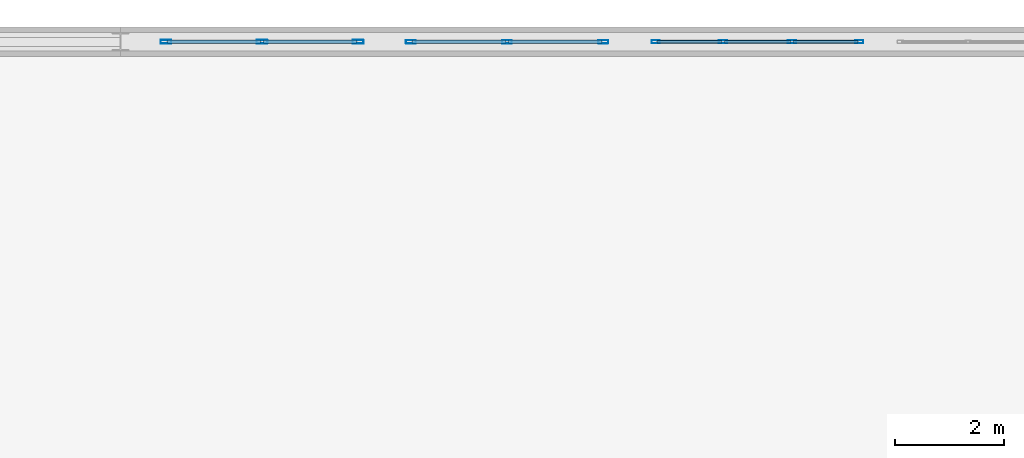
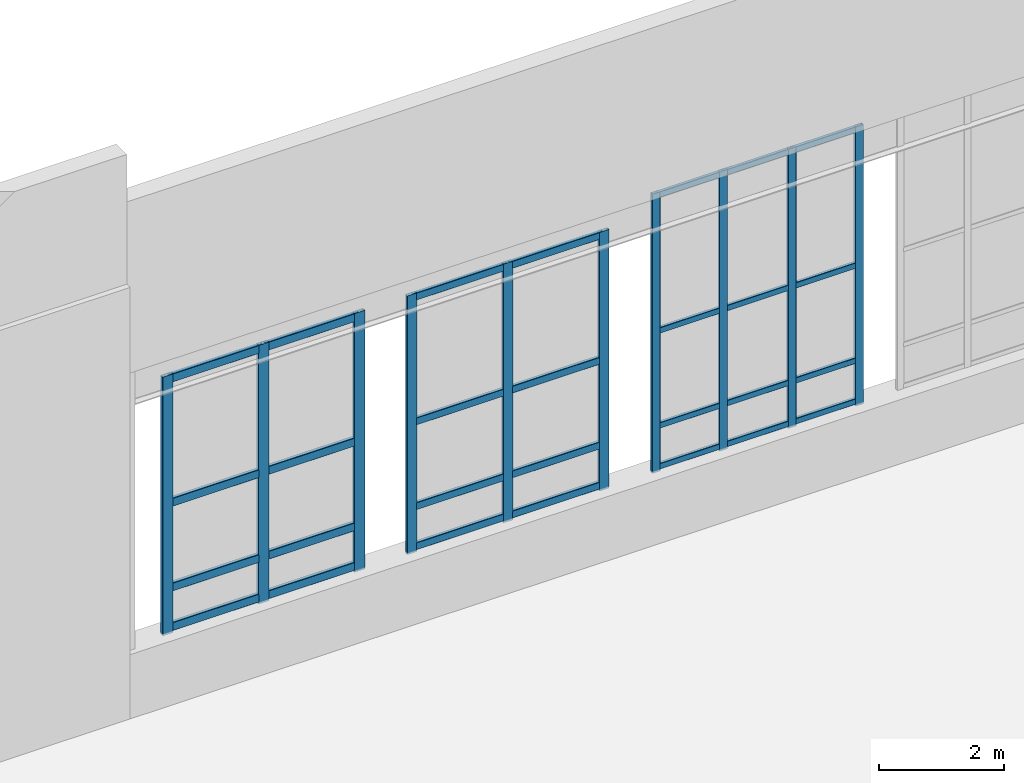
# One storey, part 64 of 97: 38 members, 3 elements without a shape of their own.
"""IFC4 building model written with IfcOpenShell, lengths in metres."""

from ifc_helpers import new_model, si_unit, derived_unit, direction, frame, origin, origin_2d, place, context, subcontext, project, spatial, hollow_rectangle, extrude, material, layer, layer_set, material_profile, profile_set, type_object, element, aggregate, save


model = new_model("IFC4")

# Units and contexts
model_context = context("Model", 3, precision=1e-05, world=origin(), true_north=direction((0.0, 1.0)))
body_context = subcontext(model_context, "Body", "Model", "MODEL_VIEW")
ifc_project = project(units=[si_unit("LENGTHUNIT", "METRE"), si_unit("AREAUNIT", "SQUARE_METRE"), si_unit("VOLUMEUNIT", "CUBIC_METRE"), si_unit("PLANEANGLEUNIT", "RADIAN"), si_unit("MASSUNIT", "GRAM", prefix="KILO"), derived_unit("THERMALTRANSMITTANCEUNIT", [(si_unit("POWERUNIT", "WATT"), 1), (si_unit("LENGTHUNIT", "METRE"), -2), (si_unit("THERMODYNAMICTEMPERATUREUNIT", "KELVIN"), -1)])], contexts=[model_context])

# Site, building, storey
site_placement = place(None, origin())
site = spatial("IfcSite", under=ifc_project, at=site_placement, CompositionType="ELEMENT")
building_placement = place(site_placement, origin())
building = spatial("IfcBuilding", under=site, at=building_placement, Name="Almenara Railside Exhibition Hall", CompositionType="ELEMENT")
storey_placement = place(building_placement, frame((0.0, 0.0, 10.800048828125)))
storey = spatial("IfcBuildingStorey", under=building, at=storey_placement, Name="L02", CompositionType="ELEMENT", Elevation=10.800048828125)

# Curtain wall, members
ifc_material_1 = material(Name="Bronze-anodised aluminium and low-E double glazing", Category="aluminium")
ifc_layer_1 = layer(ifc_material_1, 0.179931640625, Name="Bronze-anodised aluminium and low-E double glazing")
ifc_layer_set_1 = layer_set([ifc_layer_1], Name="Bronze-anodised aluminium and low-E double glazing")
curtain_wall_type_1 = type_object("IfcCurtainWallType", Name="Scroll Gable Tall Curtain Wall 3800x5400", PredefinedType="NOTDEFINED", material=ifc_layer_set_1)
curtain_wall_1_placement = place(storey_placement, origin())
curtain_wall_1 = element("IfcCurtainWall", 1, at=curtain_wall_1_placement, inside=storey, type_object=curtain_wall_type_1, Name="Curtain wall CW-G1-046", PredefinedType="NOTDEFINED")
ifc_material_2 = material(Name="Bronze-anodised aluminium", Category="aluminium")
ifc_material_profile_1 = material_profile(ifc_material_2, hollow_rectangle(XDim=0.06005859375, YDim=0.14990234375, WallThickness=0.00341796875, InnerFilletRadius=0.00341796875, OuterFilletRadius=0.007080078125, at=origin_2d()), Name="ALU-MUL 60x150x3.5")
ifc_profile_set_1 = profile_set([ifc_material_profile_1], Name="Bronze-anodised aluminium")
member_type_1 = type_object("IfcMemberType", Name="Curtain Wall Mullion 60x150x3.5", PredefinedType="MULLION", material=ifc_profile_set_1)
member_1_placement = place(storey_placement, frame((32.22998046875, 132.0, 1.21484375), z_axis=(0.0, 0.0, 1.0), x_axis=(0.0, 1.0, 0.0)))
member_1 = element("IfcMember", 2, at=member_1_placement, type_object=member_type_1, Name="CW-G1-046 mullion 1", PredefinedType="MULLION", context=body_context, shape_type="SweptSolid", body=[
    extrude(hollow_rectangle(XDim=0.06005859375, YDim=0.14990234375, WallThickness=0.00341796875, InnerFilletRadius=0.00341796875, OuterFilletRadius=0.007080078125, at=origin_2d()), origin(), (0.0, 0.0, 1.0), 5.43505859375),
])
member_2_placement = place(storey_placement, frame((33.466552734375, 132.0, 1.21484375), z_axis=(0.0, 0.0, 1.0), x_axis=(0.0, 1.0, 0.0)))
member_2 = element("IfcMember", 3, at=member_2_placement, type_object=member_type_1, Name="CW-G1-046 mullion 2", PredefinedType="MULLION", context=body_context, shape_type="SweptSolid", body=[
    extrude(hollow_rectangle(XDim=0.06005859375, YDim=0.14990234375, WallThickness=0.00341796875, InnerFilletRadius=0.00341796875, OuterFilletRadius=0.007080078125, at=origin_2d()), origin(), (0.0, 0.0, 1.0), 5.43505859375),
])
member_3_placement = place(storey_placement, frame((34.7333984375, 132.0, 1.21484375), z_axis=(0.0, 0.0, 1.0), x_axis=(0.0, 1.0, 0.0)))
member_3 = element("IfcMember", 4, at=member_3_placement, type_object=member_type_1, Name="CW-G1-046 mullion 3", PredefinedType="MULLION", context=body_context, shape_type="SweptSolid", body=[
    extrude(hollow_rectangle(XDim=0.06005859375, YDim=0.14990234375, WallThickness=0.00341796875, InnerFilletRadius=0.00341796875, OuterFilletRadius=0.007080078125, at=origin_2d()), origin(), (0.0, 0.0, 1.0), 5.43505859375),
])
member_4_placement = place(storey_placement, frame((35.969970703125, 132.0, 1.21484375), z_axis=(0.0, 0.0, 1.0), x_axis=(0.0, 1.0, 0.0)))
member_4 = element("IfcMember", 5, at=member_4_placement, type_object=member_type_1, Name="CW-G1-046 mullion 4", PredefinedType="MULLION", context=body_context, shape_type="SweptSolid", body=[
    extrude(hollow_rectangle(XDim=0.06005859375, YDim=0.14990234375, WallThickness=0.00341796875, InnerFilletRadius=0.00341796875, OuterFilletRadius=0.007080078125, at=origin_2d()), origin(), (0.0, 0.0, 1.0), 5.43505859375),
])

ifc_layer_2 = layer(ifc_material_1, 0.179931640625, Name="Bronze-anodised aluminium and low-E double glazing")
ifc_layer_set_2 = layer_set([ifc_layer_2], Name="Bronze-anodised aluminium and low-E double glazing")
curtain_wall_type_2 = type_object("IfcCurtainWallType", Name="Scroll Gable Standard Curtain Wall 3600x5000", PredefinedType="NOTDEFINED", material=ifc_layer_set_2)
curtain_wall_2_placement = place(storey_placement, origin())
curtain_wall_2 = element("IfcCurtainWall", 6, at=curtain_wall_2_placement, inside=storey, type_object=curtain_wall_type_2, Name="Curtain wall CW-G2-045", PredefinedType="NOTDEFINED")
ifc_material_profile_2 = material_profile(ifc_material_2, hollow_rectangle(XDim=0.06494140625, YDim=0.179931640625, WallThickness=0.00390625, InnerFilletRadius=0.00390625, OuterFilletRadius=0.008056640625, at=origin_2d()), Name="ALU-MUL 65x180x4")
ifc_profile_set_2 = profile_set([ifc_material_profile_2], Name="Bronze-anodised aluminium")
member_type_2 = type_object("IfcMemberType", Name="Curtain Wall Mullion 65x180x4", PredefinedType="MULLION", material=ifc_profile_set_2)
member_5_placement = place(storey_placement, frame((27.732421875, 132.0, 1.21484375), z_axis=(0.0, 0.0, 1.0), x_axis=(0.0, 1.0, 0.0)))
member_5 = element("IfcMember", 7, at=member_5_placement, type_object=member_type_2, Name="CW-G2-045 mullion 1", PredefinedType="MULLION", context=body_context, shape_type="SweptSolid", body=[
    extrude(hollow_rectangle(XDim=0.06494140625, YDim=0.179931640625, WallThickness=0.00390625, InnerFilletRadius=0.00390625, OuterFilletRadius=0.008056640625, at=origin_2d()), origin(), (0.0, 0.0, 1.0), 5.03515625),
])
member_6_placement = place(storey_placement, frame((29.5, 132.0, 1.21484375), z_axis=(0.0, 0.0, 1.0), x_axis=(0.0, 1.0, 0.0)))
member_6 = element("IfcMember", 8, at=member_6_placement, type_object=member_type_2, Name="CW-G2-045 mullion 2", PredefinedType="MULLION", context=body_context, shape_type="SweptSolid", body=[
    extrude(hollow_rectangle(XDim=0.06494140625, YDim=0.179931640625, WallThickness=0.00390625, InnerFilletRadius=0.00390625, OuterFilletRadius=0.008056640625, at=origin_2d()), origin(), (0.0, 0.0, 1.0), 5.03515625),
])
member_7_placement = place(storey_placement, frame((31.267578125, 132.0, 1.21484375), z_axis=(0.0, 0.0, 1.0), x_axis=(0.0, 1.0, 0.0)))
member_7 = element("IfcMember", 9, at=member_7_placement, type_object=member_type_2, Name="CW-G2-045 mullion 3", PredefinedType="MULLION", context=body_context, shape_type="SweptSolid", body=[
    extrude(hollow_rectangle(XDim=0.06494140625, YDim=0.179931640625, WallThickness=0.00390625, InnerFilletRadius=0.00390625, OuterFilletRadius=0.008056640625, at=origin_2d()), origin(), (0.0, 0.0, 1.0), 5.03515625),
])

curtain_wall_3_placement = place(storey_placement, origin())
curtain_wall_3 = element("IfcCurtainWall", 10, at=curtain_wall_3_placement, inside=storey, type_object=curtain_wall_type_2, Name="Curtain wall CW-G2-044", PredefinedType="NOTDEFINED")
ifc_material_profile_3 = material_profile(ifc_material_2, hollow_rectangle(XDim=0.070068359375, YDim=0.199951171875, WallThickness=0.00439453125, InnerFilletRadius=0.00439453125, OuterFilletRadius=0.009033203125, at=origin_2d()), Name="ALU-MUL 70x200x4.5")
ifc_profile_set_3 = profile_set([ifc_material_profile_3], Name="Bronze-anodised aluminium")
member_type_3 = type_object("IfcMemberType", Name="Curtain Wall Mullion 70x200x4.5", PredefinedType="MULLION", material=ifc_profile_set_3)
member_8_placement = place(storey_placement, frame((23.235107421875, 132.0, 1.21484375), z_axis=(0.0, 0.0, 1.0), x_axis=(0.0, 1.0, 0.0)))
member_8 = element("IfcMember", 11, at=member_8_placement, type_object=member_type_3, Name="CW-G2-044 mullion 1", PredefinedType="MULLION", context=body_context, shape_type="SweptSolid", body=[
    extrude(hollow_rectangle(XDim=0.070068359375, YDim=0.199951171875, WallThickness=0.00439453125, InnerFilletRadius=0.00439453125, OuterFilletRadius=0.009033203125, at=origin_2d()), origin(), (0.0, 0.0, 1.0), 5.03515625),
])
member_9_placement = place(storey_placement, frame((25.0, 132.0, 1.21484375), z_axis=(0.0, 0.0, 1.0), x_axis=(0.0, 1.0, 0.0)))
member_9 = element("IfcMember", 12, at=member_9_placement, type_object=member_type_3, Name="CW-G2-044 mullion 2", PredefinedType="MULLION", context=body_context, shape_type="SweptSolid", body=[
    extrude(hollow_rectangle(XDim=0.070068359375, YDim=0.199951171875, WallThickness=0.00439453125, InnerFilletRadius=0.00439453125, OuterFilletRadius=0.009033203125, at=origin_2d()), origin(), (0.0, 0.0, 1.0), 5.03515625),
])
member_10_placement = place(storey_placement, frame((26.764892578125, 132.0, 1.21484375), z_axis=(0.0, 0.0, 1.0), x_axis=(0.0, 1.0, 0.0)))
member_10 = element("IfcMember", 13, at=member_10_placement, type_object=member_type_3, Name="CW-G2-044 mullion 3", PredefinedType="MULLION", context=body_context, shape_type="SweptSolid", body=[
    extrude(hollow_rectangle(XDim=0.070068359375, YDim=0.199951171875, WallThickness=0.00439453125, InnerFilletRadius=0.00439453125, OuterFilletRadius=0.009033203125, at=origin_2d()), origin(), (0.0, 0.0, 1.0), 5.03515625),
])

# Member
ifc_material_profile_4 = material_profile(ifc_material_2, hollow_rectangle(XDim=0.06005859375, YDim=0.110107421875, WallThickness=0.0029296875, InnerFilletRadius=0.0029296875, OuterFilletRadius=0.006103515625, at=origin_2d()), Name="ALU-TRN 60x110x3")
ifc_profile_set_4 = profile_set([ifc_material_profile_4], Name="Bronze-anodised aluminium")
member_type_4 = type_object("IfcMemberType", Name="Curtain Wall Transom 60x110x3", PredefinedType="USERDEFINED", material=ifc_profile_set_4)
member_11_placement = place(storey_placement, frame((32.251953125, 132.0, 1.304931640625), z_axis=(1.0, 0.0, 0.0), x_axis=(0.0, 1.0, 0.0)))
member_11 = element("IfcMember", 14, at=member_11_placement, type_object=member_type_4, Name="CW-G1-046 transom 1.1", ObjectType="TRANSOM", PredefinedType="USERDEFINED", context=body_context, shape_type="SweptSolid", body=[
    extrude(hollow_rectangle(XDim=0.06005859375, YDim=0.110107421875, WallThickness=0.0029296875, InnerFilletRadius=0.0029296875, OuterFilletRadius=0.006103515625, at=origin_2d()), origin(), (0.0, 0.0, 1.0), 1.192626953125),
])

member_12_placement = place(storey_placement, frame((32.251953125, 132.0, 2.099853515625), z_axis=(1.0, 0.0, 0.0), x_axis=(0.0, 1.0, 0.0)))
member_12 = element("IfcMember", 15, at=member_12_placement, type_object=member_type_4, Name="CW-G1-046 transom 1.2", ObjectType="TRANSOM", PredefinedType="USERDEFINED", context=body_context, shape_type="SweptSolid", body=[
    extrude(hollow_rectangle(XDim=0.06005859375, YDim=0.110107421875, WallThickness=0.0029296875, InnerFilletRadius=0.0029296875, OuterFilletRadius=0.006103515625, at=origin_2d()), origin(), (0.0, 0.0, 1.0), 1.192626953125),
])

member_13_placement = place(storey_placement, frame((32.251953125, 132.0, 3.949951171875), z_axis=(1.0, 0.0, 0.0), x_axis=(0.0, 1.0, 0.0)))
member_13 = element("IfcMember", 16, at=member_13_placement, type_object=member_type_4, Name="CW-G1-046 transom 1.3", ObjectType="TRANSOM", PredefinedType="USERDEFINED", context=body_context, shape_type="SweptSolid", body=[
    extrude(hollow_rectangle(XDim=0.06005859375, YDim=0.110107421875, WallThickness=0.0029296875, InnerFilletRadius=0.0029296875, OuterFilletRadius=0.006103515625, at=origin_2d()), origin(), (0.0, 0.0, 1.0), 1.192626953125),
])

member_14_placement = place(storey_placement, frame((32.251953125, 132.0, 6.594970703125), z_axis=(1.0, 0.0, 0.0), x_axis=(0.0, 1.0, 0.0)))
member_14 = element("IfcMember", 17, at=member_14_placement, type_object=member_type_4, Name="CW-G1-046 transom 1.4", ObjectType="TRANSOM", PredefinedType="USERDEFINED", context=body_context, shape_type="SweptSolid", body=[
    extrude(hollow_rectangle(XDim=0.06005859375, YDim=0.110107421875, WallThickness=0.0029296875, InnerFilletRadius=0.0029296875, OuterFilletRadius=0.006103515625, at=origin_2d()), origin(), (0.0, 0.0, 1.0), 1.192626953125),
])

member_15_placement = place(storey_placement, frame((33.48876953125, 132.0, 1.304931640625), z_axis=(1.0, 0.0, 0.0), x_axis=(0.0, 1.0, 0.0)))
member_15 = element("IfcMember", 18, at=member_15_placement, type_object=member_type_4, Name="CW-G1-046 transom 2.1", ObjectType="TRANSOM", PredefinedType="USERDEFINED", context=body_context, shape_type="SweptSolid", body=[
    extrude(hollow_rectangle(XDim=0.06005859375, YDim=0.110107421875, WallThickness=0.0029296875, InnerFilletRadius=0.0029296875, OuterFilletRadius=0.006103515625, at=origin_2d()), origin(), (0.0, 0.0, 1.0), 1.22265625),
])

member_16_placement = place(storey_placement, frame((33.48876953125, 132.0, 2.099853515625), z_axis=(1.0, 0.0, 0.0), x_axis=(0.0, 1.0, 0.0)))
member_16 = element("IfcMember", 19, at=member_16_placement, type_object=member_type_4, Name="CW-G1-046 transom 2.2", ObjectType="TRANSOM", PredefinedType="USERDEFINED", context=body_context, shape_type="SweptSolid", body=[
    extrude(hollow_rectangle(XDim=0.06005859375, YDim=0.110107421875, WallThickness=0.0029296875, InnerFilletRadius=0.0029296875, OuterFilletRadius=0.006103515625, at=origin_2d()), origin(), (0.0, 0.0, 1.0), 1.22265625),
])

member_17_placement = place(storey_placement, frame((33.48876953125, 132.0, 3.949951171875), z_axis=(1.0, 0.0, 0.0), x_axis=(0.0, 1.0, 0.0)))
member_17 = element("IfcMember", 20, at=member_17_placement, type_object=member_type_4, Name="CW-G1-046 transom 2.3", ObjectType="TRANSOM", PredefinedType="USERDEFINED", context=body_context, shape_type="SweptSolid", body=[
    extrude(hollow_rectangle(XDim=0.06005859375, YDim=0.110107421875, WallThickness=0.0029296875, InnerFilletRadius=0.0029296875, OuterFilletRadius=0.006103515625, at=origin_2d()), origin(), (0.0, 0.0, 1.0), 1.22265625),
])

member_18_placement = place(storey_placement, frame((33.48876953125, 132.0, 6.594970703125), z_axis=(1.0, 0.0, 0.0), x_axis=(0.0, 1.0, 0.0)))
member_18 = element("IfcMember", 21, at=member_18_placement, type_object=member_type_4, Name="CW-G1-046 transom 2.4", ObjectType="TRANSOM", PredefinedType="USERDEFINED", context=body_context, shape_type="SweptSolid", body=[
    extrude(hollow_rectangle(XDim=0.06005859375, YDim=0.110107421875, WallThickness=0.0029296875, InnerFilletRadius=0.0029296875, OuterFilletRadius=0.006103515625, at=origin_2d()), origin(), (0.0, 0.0, 1.0), 1.22265625),
])

member_19_placement = place(storey_placement, frame((34.75537109375, 132.0, 1.304931640625), z_axis=(1.0, 0.0, 0.0), x_axis=(0.0, 1.0, 0.0)))
member_19 = element("IfcMember", 22, at=member_19_placement, type_object=member_type_4, Name="CW-G1-046 transom 3.1", ObjectType="TRANSOM", PredefinedType="USERDEFINED", context=body_context, shape_type="SweptSolid", body=[
    extrude(hollow_rectangle(XDim=0.06005859375, YDim=0.110107421875, WallThickness=0.0029296875, InnerFilletRadius=0.0029296875, OuterFilletRadius=0.006103515625, at=origin_2d()), origin(), (0.0, 0.0, 1.0), 1.192626953125),
])

member_20_placement = place(storey_placement, frame((34.75537109375, 132.0, 2.099853515625), z_axis=(1.0, 0.0, 0.0), x_axis=(0.0, 1.0, 0.0)))
member_20 = element("IfcMember", 23, at=member_20_placement, type_object=member_type_4, Name="CW-G1-046 transom 3.2", ObjectType="TRANSOM", PredefinedType="USERDEFINED", context=body_context, shape_type="SweptSolid", body=[
    extrude(hollow_rectangle(XDim=0.06005859375, YDim=0.110107421875, WallThickness=0.0029296875, InnerFilletRadius=0.0029296875, OuterFilletRadius=0.006103515625, at=origin_2d()), origin(), (0.0, 0.0, 1.0), 1.192626953125),
])

member_21_placement = place(storey_placement, frame((34.75537109375, 132.0, 3.949951171875), z_axis=(1.0, 0.0, 0.0), x_axis=(0.0, 1.0, 0.0)))
member_21 = element("IfcMember", 24, at=member_21_placement, type_object=member_type_4, Name="CW-G1-046 transom 3.3", ObjectType="TRANSOM", PredefinedType="USERDEFINED", context=body_context, shape_type="SweptSolid", body=[
    extrude(hollow_rectangle(XDim=0.06005859375, YDim=0.110107421875, WallThickness=0.0029296875, InnerFilletRadius=0.0029296875, OuterFilletRadius=0.006103515625, at=origin_2d()), origin(), (0.0, 0.0, 1.0), 1.192626953125),
])

member_22_placement = place(storey_placement, frame((34.75537109375, 132.0, 6.594970703125), z_axis=(1.0, 0.0, 0.0), x_axis=(0.0, 1.0, 0.0)))
member_22 = element("IfcMember", 25, at=member_22_placement, type_object=member_type_4, Name="CW-G1-046 transom 3.4", ObjectType="TRANSOM", PredefinedType="USERDEFINED", context=body_context, shape_type="SweptSolid", body=[
    extrude(hollow_rectangle(XDim=0.06005859375, YDim=0.110107421875, WallThickness=0.0029296875, InnerFilletRadius=0.0029296875, OuterFilletRadius=0.006103515625, at=origin_2d()), origin(), (0.0, 0.0, 1.0), 1.192626953125),
])

aggregate(curtain_wall_1, [member_1, member_2, member_3, member_4, member_11, member_12, member_13, member_14, member_15, member_16, member_17, member_18, member_19, member_20, member_21, member_22])

ifc_material_profile_5 = material_profile(ifc_material_2, hollow_rectangle(XDim=0.06494140625, YDim=0.139892578125, WallThickness=0.00341796875, InnerFilletRadius=0.00341796875, OuterFilletRadius=0.007080078125, at=origin_2d()), Name="ALU-TRN 65x140x3.5")
ifc_profile_set_5 = profile_set([ifc_material_profile_5], Name="Bronze-anodised aluminium")
member_type_5 = type_object("IfcMemberType", Name="Curtain Wall Transom 65x140x3.5", PredefinedType="USERDEFINED", material=ifc_profile_set_5)
member_23_placement = place(storey_placement, frame((27.757080078125, 132.0, 1.320068359375), z_axis=(1.0, 0.0, 0.0), x_axis=(0.0, 1.0, 0.0)))
member_23 = element("IfcMember", 26, at=member_23_placement, type_object=member_type_5, Name="CW-G2-045 transom 1.1", ObjectType="TRANSOM", PredefinedType="USERDEFINED", context=body_context, shape_type="SweptSolid", body=[
    extrude(hollow_rectangle(XDim=0.06494140625, YDim=0.139892578125, WallThickness=0.00341796875, InnerFilletRadius=0.00341796875, OuterFilletRadius=0.007080078125, at=origin_2d()), origin(), (0.0, 0.0, 1.0), 1.718505859375),
])

member_24_placement = place(storey_placement, frame((27.757080078125, 132.0, 2.099853515625), z_axis=(1.0, 0.0, 0.0), x_axis=(0.0, 1.0, 0.0)))
member_24 = element("IfcMember", 27, at=member_24_placement, type_object=member_type_5, Name="CW-G2-045 transom 1.2", ObjectType="TRANSOM", PredefinedType="USERDEFINED", context=body_context, shape_type="SweptSolid", body=[
    extrude(hollow_rectangle(XDim=0.06494140625, YDim=0.139892578125, WallThickness=0.00341796875, InnerFilletRadius=0.00341796875, OuterFilletRadius=0.007080078125, at=origin_2d()), origin(), (0.0, 0.0, 1.0), 1.718505859375),
])

member_25_placement = place(storey_placement, frame((27.757080078125, 132.0, 3.75), z_axis=(1.0, 0.0, 0.0), x_axis=(0.0, 1.0, 0.0)))
member_25 = element("IfcMember", 28, at=member_25_placement, type_object=member_type_5, Name="CW-G2-045 transom 1.3", ObjectType="TRANSOM", PredefinedType="USERDEFINED", context=body_context, shape_type="SweptSolid", body=[
    extrude(hollow_rectangle(XDim=0.06494140625, YDim=0.139892578125, WallThickness=0.00341796875, InnerFilletRadius=0.00341796875, OuterFilletRadius=0.007080078125, at=origin_2d()), origin(), (0.0, 0.0, 1.0), 1.718505859375),
])

member_26_placement = place(storey_placement, frame((27.757080078125, 132.0, 6.179931640625), z_axis=(1.0, 0.0, 0.0), x_axis=(0.0, 1.0, 0.0)))
member_26 = element("IfcMember", 29, at=member_26_placement, type_object=member_type_5, Name="CW-G2-045 transom 1.4", ObjectType="TRANSOM", PredefinedType="USERDEFINED", context=body_context, shape_type="SweptSolid", body=[
    extrude(hollow_rectangle(XDim=0.06494140625, YDim=0.139892578125, WallThickness=0.00341796875, InnerFilletRadius=0.00341796875, OuterFilletRadius=0.007080078125, at=origin_2d()), origin(), (0.0, 0.0, 1.0), 1.718505859375),
])

member_27_placement = place(storey_placement, frame((29.5244140625, 132.0, 1.320068359375), z_axis=(1.0, 0.0, 0.0), x_axis=(0.0, 1.0, 0.0)))
member_27 = element("IfcMember", 30, at=member_27_placement, type_object=member_type_5, Name="CW-G2-045 transom 2.1", ObjectType="TRANSOM", PredefinedType="USERDEFINED", context=body_context, shape_type="SweptSolid", body=[
    extrude(hollow_rectangle(XDim=0.06494140625, YDim=0.139892578125, WallThickness=0.00341796875, InnerFilletRadius=0.00341796875, OuterFilletRadius=0.007080078125, at=origin_2d()), origin(), (0.0, 0.0, 1.0), 1.718505859375),
])

member_28_placement = place(storey_placement, frame((29.5244140625, 132.0, 2.099853515625), z_axis=(1.0, 0.0, 0.0), x_axis=(0.0, 1.0, 0.0)))
member_28 = element("IfcMember", 31, at=member_28_placement, type_object=member_type_5, Name="CW-G2-045 transom 2.2", ObjectType="TRANSOM", PredefinedType="USERDEFINED", context=body_context, shape_type="SweptSolid", body=[
    extrude(hollow_rectangle(XDim=0.06494140625, YDim=0.139892578125, WallThickness=0.00341796875, InnerFilletRadius=0.00341796875, OuterFilletRadius=0.007080078125, at=origin_2d()), origin(), (0.0, 0.0, 1.0), 1.718505859375),
])

member_29_placement = place(storey_placement, frame((29.5244140625, 132.0, 3.75), z_axis=(1.0, 0.0, 0.0), x_axis=(0.0, 1.0, 0.0)))
member_29 = element("IfcMember", 32, at=member_29_placement, type_object=member_type_5, Name="CW-G2-045 transom 2.3", ObjectType="TRANSOM", PredefinedType="USERDEFINED", context=body_context, shape_type="SweptSolid", body=[
    extrude(hollow_rectangle(XDim=0.06494140625, YDim=0.139892578125, WallThickness=0.00341796875, InnerFilletRadius=0.00341796875, OuterFilletRadius=0.007080078125, at=origin_2d()), origin(), (0.0, 0.0, 1.0), 1.718505859375),
])

member_30_placement = place(storey_placement, frame((29.5244140625, 132.0, 6.179931640625), z_axis=(1.0, 0.0, 0.0), x_axis=(0.0, 1.0, 0.0)))
member_30 = element("IfcMember", 33, at=member_30_placement, type_object=member_type_5, Name="CW-G2-045 transom 2.4", ObjectType="TRANSOM", PredefinedType="USERDEFINED", context=body_context, shape_type="SweptSolid", body=[
    extrude(hollow_rectangle(XDim=0.06494140625, YDim=0.139892578125, WallThickness=0.00341796875, InnerFilletRadius=0.00341796875, OuterFilletRadius=0.007080078125, at=origin_2d()), origin(), (0.0, 0.0, 1.0), 1.718505859375),
])

aggregate(curtain_wall_2, [member_5, member_6, member_7, member_23, member_24, member_25, member_26, member_27, member_28, member_29, member_30])

ifc_material_profile_6 = material_profile(ifc_material_2, hollow_rectangle(XDim=0.070068359375, YDim=0.159912109375, WallThickness=0.00390625, InnerFilletRadius=0.00390625, OuterFilletRadius=0.008056640625, at=origin_2d()), Name="ALU-TRN 70x160x4")
ifc_profile_set_6 = profile_set([ifc_material_profile_6], Name="Bronze-anodised aluminium")
member_type_6 = type_object("IfcMemberType", Name="Curtain Wall Transom 70x160x4", PredefinedType="USERDEFINED", material=ifc_profile_set_6)
member_31_placement = place(storey_placement, frame((23.261962890625, 132.0, 1.329833984375), z_axis=(1.0, 0.0, 0.0), x_axis=(0.0, 1.0, 0.0)))
member_31 = element("IfcMember", 34, at=member_31_placement, type_object=member_type_6, Name="CW-G2-044 transom 1.1", ObjectType="TRANSOM", PredefinedType="USERDEFINED", context=body_context, shape_type="SweptSolid", body=[
    extrude(hollow_rectangle(XDim=0.070068359375, YDim=0.159912109375, WallThickness=0.00390625, InnerFilletRadius=0.00390625, OuterFilletRadius=0.008056640625, at=origin_2d()), origin(), (0.0, 0.0, 1.0), 1.7109375),
])

member_32_placement = place(storey_placement, frame((23.261962890625, 132.0, 2.099853515625), z_axis=(1.0, 0.0, 0.0), x_axis=(0.0, 1.0, 0.0)))
member_32 = element("IfcMember", 35, at=member_32_placement, type_object=member_type_6, Name="CW-G2-044 transom 1.2", ObjectType="TRANSOM", PredefinedType="USERDEFINED", context=body_context, shape_type="SweptSolid", body=[
    extrude(hollow_rectangle(XDim=0.070068359375, YDim=0.159912109375, WallThickness=0.00390625, InnerFilletRadius=0.00390625, OuterFilletRadius=0.008056640625, at=origin_2d()), origin(), (0.0, 0.0, 1.0), 1.7109375),
])

member_33_placement = place(storey_placement, frame((23.261962890625, 132.0, 3.75), z_axis=(1.0, 0.0, 0.0), x_axis=(0.0, 1.0, 0.0)))
member_33 = element("IfcMember", 36, at=member_33_placement, type_object=member_type_6, Name="CW-G2-044 transom 1.3", ObjectType="TRANSOM", PredefinedType="USERDEFINED", context=body_context, shape_type="SweptSolid", body=[
    extrude(hollow_rectangle(XDim=0.070068359375, YDim=0.159912109375, WallThickness=0.00390625, InnerFilletRadius=0.00390625, OuterFilletRadius=0.008056640625, at=origin_2d()), origin(), (0.0, 0.0, 1.0), 1.7109375),
])

member_34_placement = place(storey_placement, frame((23.261962890625, 132.0, 6.169921875), z_axis=(1.0, 0.0, 0.0), x_axis=(0.0, 1.0, 0.0)))
member_34 = element("IfcMember", 37, at=member_34_placement, type_object=member_type_6, Name="CW-G2-044 transom 1.4", ObjectType="TRANSOM", PredefinedType="USERDEFINED", context=body_context, shape_type="SweptSolid", body=[
    extrude(hollow_rectangle(XDim=0.070068359375, YDim=0.159912109375, WallThickness=0.00390625, InnerFilletRadius=0.00390625, OuterFilletRadius=0.008056640625, at=origin_2d()), origin(), (0.0, 0.0, 1.0), 1.7109375),
])

member_35_placement = place(storey_placement, frame((25.027099609375, 132.0, 1.329833984375), z_axis=(1.0, 0.0, 0.0), x_axis=(0.0, 1.0, 0.0)))
member_35 = element("IfcMember", 38, at=member_35_placement, type_object=member_type_6, Name="CW-G2-044 transom 2.1", ObjectType="TRANSOM", PredefinedType="USERDEFINED", context=body_context, shape_type="SweptSolid", body=[
    extrude(hollow_rectangle(XDim=0.070068359375, YDim=0.159912109375, WallThickness=0.00390625, InnerFilletRadius=0.00390625, OuterFilletRadius=0.008056640625, at=origin_2d()), origin(), (0.0, 0.0, 1.0), 1.7109375),
])

member_36_placement = place(storey_placement, frame((25.027099609375, 132.0, 2.099853515625), z_axis=(1.0, 0.0, 0.0), x_axis=(0.0, 1.0, 0.0)))
member_36 = element("IfcMember", 39, at=member_36_placement, type_object=member_type_6, Name="CW-G2-044 transom 2.2", ObjectType="TRANSOM", PredefinedType="USERDEFINED", context=body_context, shape_type="SweptSolid", body=[
    extrude(hollow_rectangle(XDim=0.070068359375, YDim=0.159912109375, WallThickness=0.00390625, InnerFilletRadius=0.00390625, OuterFilletRadius=0.008056640625, at=origin_2d()), origin(), (0.0, 0.0, 1.0), 1.7109375),
])

member_37_placement = place(storey_placement, frame((25.027099609375, 132.0, 3.75), z_axis=(1.0, 0.0, 0.0), x_axis=(0.0, 1.0, 0.0)))
member_37 = element("IfcMember", 40, at=member_37_placement, type_object=member_type_6, Name="CW-G2-044 transom 2.3", ObjectType="TRANSOM", PredefinedType="USERDEFINED", context=body_context, shape_type="SweptSolid", body=[
    extrude(hollow_rectangle(XDim=0.070068359375, YDim=0.159912109375, WallThickness=0.00390625, InnerFilletRadius=0.00390625, OuterFilletRadius=0.008056640625, at=origin_2d()), origin(), (0.0, 0.0, 1.0), 1.7109375),
])

member_38_placement = place(storey_placement, frame((25.027099609375, 132.0, 6.169921875), z_axis=(1.0, 0.0, 0.0), x_axis=(0.0, 1.0, 0.0)))
member_38 = element("IfcMember", 41, at=member_38_placement, type_object=member_type_6, Name="CW-G2-044 transom 2.4", ObjectType="TRANSOM", PredefinedType="USERDEFINED", context=body_context, shape_type="SweptSolid", body=[
    extrude(hollow_rectangle(XDim=0.070068359375, YDim=0.159912109375, WallThickness=0.00390625, InnerFilletRadius=0.00390625, OuterFilletRadius=0.008056640625, at=origin_2d()), origin(), (0.0, 0.0, 1.0), 1.7109375),
])

aggregate(curtain_wall_3, [member_8, member_9, member_10, member_31, member_32, member_33, member_34, member_35, member_36, member_37, member_38])

save(model, "model.ifc")
